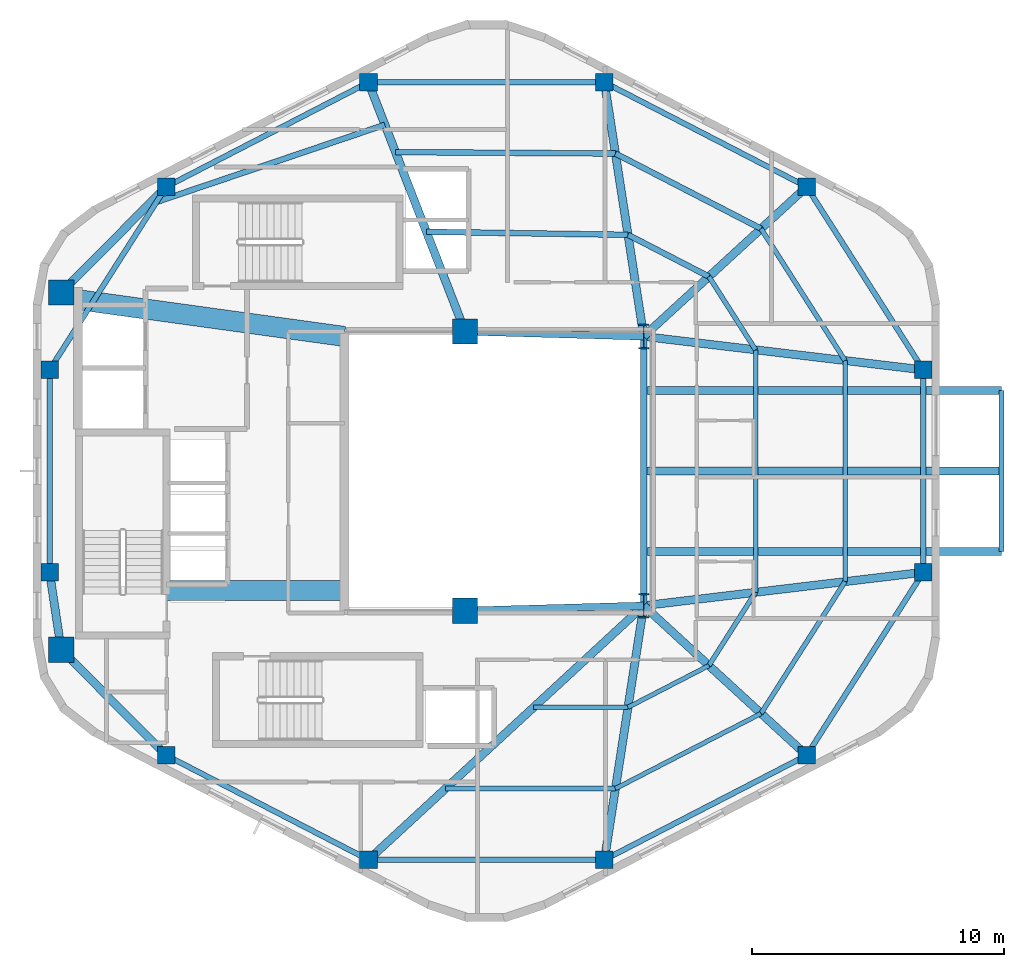
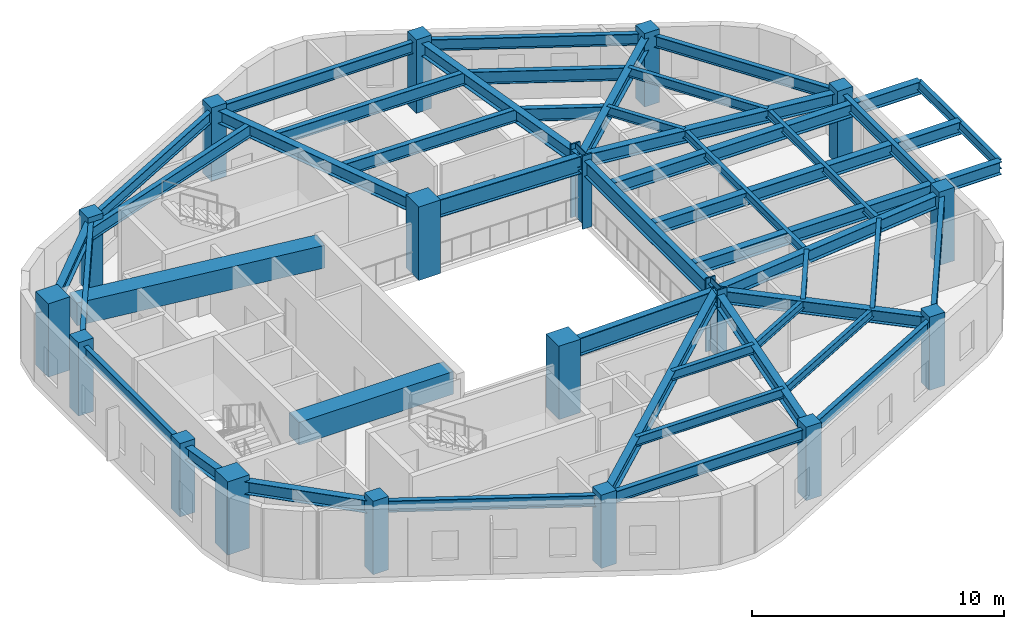
# One storey, part 1 of 6: 46 beams, 18 columns.
"""IFC4 building model written with IfcOpenShell, lengths in metres."""

from ifc_helpers import new_model, si_unit, direction, frame, origin, origin_2d, place, context, subcontext, project, spatial, rectangle, i_section, extrude, material, material_profile, profile_set, type_object, element, save


model = new_model("IFC4")

# Units and contexts
model_context = context("Model", 3, precision=1e-05, world=origin(), true_north=direction((0.0, 1.0)))
body_context = subcontext(model_context, "Body", "Model", "MODEL_VIEW")
ifc_project = project(units=[si_unit("LENGTHUNIT", "METRE"), si_unit("AREAUNIT", "SQUARE_METRE"), si_unit("VOLUMEUNIT", "CUBIC_METRE"), si_unit("PLANEANGLEUNIT", "RADIAN"), si_unit("MASSUNIT", "GRAM", prefix="KILO"), si_unit("THERMODYNAMICTEMPERATUREUNIT", "KELVIN"), si_unit("POWERUNIT", "WATT")], contexts=[model_context])

# Site, building, storey
site_placement = place(None, origin())
site = spatial("IfcSite", under=ifc_project, at=site_placement, CompositionType="ELEMENT")
building_placement = place(site_placement, origin())
building = spatial("IfcBuilding", under=site, at=building_placement, Name="Skarre Station Tower", CompositionType="ELEMENT")
storey_placement = place(building_placement, frame((0.0, 0.0, 252.550048828125)))
storey = spatial("IfcBuildingStorey", under=building, at=storey_placement, Name="L69", CompositionType="ELEMENT", Elevation=252.550048828125)

# Columns
ifc_material_1 = material(Name="Concrete C60/75", Category="concrete")
ifc_material_profile_1 = material_profile(ifc_material_1, rectangle(XDim=1.0, YDim=1.0, at=origin_2d()), Name="Concrete C60/75")
ifc_profile_set_1 = profile_set([ifc_material_profile_1], Name="Concrete C60/75")
column_type_1 = type_object("IfcColumnType", Name="RC Structural Column RC-COL-1000X1000", PredefinedType="COLUMN", material=ifc_profile_set_1)
for number, where, z_axis, x_axis, name in (
    (1, (16.300048828125, 16.89990234375, 0.0), (0.0, 0.0, 1.0), (1.0, 0.0, 0.0), "L69 Core Column CC-SW"),
    (2, (16.300048828125, 31.10009765625, 0.0), (0.0, 0.0, 1.0), (1.0, 0.0, 0.0), "L69 Core Column CC-NW"),
    (3, (32.35009765625, 18.449951171875, 0.0), (0.0, 0.0, 1.0), (1.0, 0.0, 0.0), "L69 Core Column CC-SE"),
    (4, (32.35009765625, 29.550048828125, 0.0), (0.0, 0.0, 1.0), (1.0, 0.0, 0.0), "L69 Core Column CC-NE"),
):
    element("IfcColumn", number, at=place(storey_placement, frame(where, z_axis=z_axis, x_axis=x_axis)), inside=storey, type_object=column_type_1, Name=name, PredefinedType="COLUMN", context=body_context, shape_type="SweptSolid", body=[
        extrude(rectangle(XDim=1.0, YDim=1.0, at=origin_2d()), origin(), (0.0, 0.0, 1.0), 3.550048828125),
    ])
ifc_material_2 = material(Name="Concrete C50/60", Category="concrete")
ifc_material_profile_2 = material_profile(ifc_material_2, rectangle(XDim=0.699951171875, YDim=0.699951171875, at=origin_2d()), Name="Concrete C50/60")
ifc_profile_set_2 = profile_set([ifc_material_profile_2], Name="Concrete C50/60")
column_type_2 = type_object("IfcColumnType", Name="RC Structural Column RC-COL-700X700", PredefinedType="COLUMN", material=ifc_profile_set_2)
for number, where, z_axis, x_axis, name in (
    (5, (45.927001953125, 35.298095703125, 0.0), (0.0, 0.0, 1.0), (1.0, 0.0, 0.0), "L69 Zone 4 Perimeter Column F0C1"),
    (6, (37.888916015625, 39.447021484375, 0.0), (0.0, 0.0, 1.0), (1.0, 0.0, 0.0), "L69 Zone 4 Perimeter Column F0C2"),
    (7, (28.510986328125, 39.447021484375, 0.0), (0.0, 0.0, 1.0), (1.0, 0.0, 0.0), "L69 Zone 4 Perimeter Column F1C1"),
    (8, (20.472900390625, 35.298095703125, 0.0), (0.0, 0.0, 1.0), (1.0, 0.0, 0.0), "L69 Zone 4 Perimeter Column F1C2"),
    (9, (15.8369140625, 28.02099609375, 0.0), (0.0, 0.0, 1.0), (1.0, 0.0, 0.0), "L69 Zone 4 Perimeter Column F2C1"),
    (10, (15.8369140625, 19.97900390625, 0.0), (0.0, 0.0, 1.0), (1.0, 0.0, 0.0), "L69 Zone 4 Perimeter Column F2C2"),
    (11, (20.472900390625, 12.701904296875, 0.0), (0.0, 0.0, 1.0), (1.0, 0.0, 0.0), "L69 Zone 4 Perimeter Column F3C1"),
    (12, (28.510986328125, 8.552978515625, 0.0), (0.0, 0.0, 1.0), (1.0, 0.0, 0.0), "L69 Zone 4 Perimeter Column F3C2"),
    (13, (37.888916015625, 8.552978515625, 0.0), (0.0, 0.0, 1.0), (1.0, 0.0, 0.0), "L69 Zone 4 Perimeter Column F4C1"),
    (14, (45.927001953125, 12.701904296875, 0.0), (0.0, 0.0, 1.0), (1.0, 0.0, 0.0), "L69 Zone 4 Perimeter Column F4C2"),
    (15, (50.56298828125, 19.97900390625, 0.0), (0.0, 0.0, 1.0), (1.0, 0.0, 0.0), "L69 Zone 4 Perimeter Column F5C1"),
    (16, (50.56298828125, 28.02099609375, 0.0), (0.0, 0.0, 1.0), (1.0, 0.0, 0.0), "L69 Zone 4 Perimeter Column F5C2"),
):
    element("IfcColumn", number, at=place(storey_placement, frame(where, z_axis=z_axis, x_axis=x_axis)), inside=storey, type_object=column_type_2, Name=name, PredefinedType="COLUMN", context=body_context, shape_type="SweptSolid", body=[
        extrude(rectangle(XDim=0.699951171875, YDim=0.699951171875, at=origin_2d()), origin(), (0.0, 0.0, 1.0), 3.550048828125),
    ])
ifc_material_3 = material(Name="Steel ASTM A913 Grade 65", Category="steel")
ifc_material_profile_3 = material_profile(ifc_material_3, i_section(OverallWidth=0.430908203125, OverallDepth=0.987060546875, WebThickness=0.033935546875, FlangeThickness=0.06201171875, at=origin_2d()), Name="Steel ASTM A913 Grade 65")
ifc_profile_set_3 = profile_set([ifc_material_profile_3], Name="Steel ASTM A913 Grade 65")
column_type_3 = type_object("IfcColumnType", Name="Steel Column W36X441", PredefinedType="COLUMN", material=ifc_profile_set_3)
for number, where, z_axis, x_axis, name in (
    (17, (39.449951171875, 18.64990234375, 0.0), (0.0, 0.0, 1.0), (1.0, 0.0, 0.0), "L69 Atrium Spine Column AC-SE"),
    (18, (39.449951171875, 29.35009765625, 0.0), (0.0, 0.0, 1.0), (1.0, 0.0, 0.0), "L69 Atrium Spine Column AC-NE"),
):
    element("IfcColumn", number, at=place(storey_placement, frame(where, z_axis=z_axis, x_axis=x_axis)), inside=storey, type_object=column_type_3, Name=name, PredefinedType="COLUMN", context=body_context, shape_type="SweptSolid", body=[
        extrude(i_section(OverallWidth=0.430908203125, OverallDepth=0.987060546875, WebThickness=0.033935546875, FlangeThickness=0.06201171875, at=origin_2d()), origin(), (0.0, 0.0, 1.0), 3.550048828125),
    ])

# Beams
ifc_material_4 = material(Name="Concrete C70/85", Category="concrete")
ifc_material_profile_4 = material_profile(ifc_material_4, rectangle(XDim=0.800048828125, YDim=1.10009765625, at=origin_2d()), Name="Concrete C70/85")
ifc_profile_set_4 = profile_set([ifc_material_profile_4], Name="Concrete C70/85")
beam_type_1 = type_object("IfcBeamType", Name="RC Core Coupling Lintel 800x1100", PredefinedType="LINTEL", material=ifc_profile_set_4)
beam_1_placement = place(storey_placement, frame((20.489990234375, 19.260009765625, 2.739990234375), z_axis=(1.0, 0.0, 0.0), x_axis=(0.0, 1.0, 0.0)))
element("IfcBeam", 19, at=beam_1_placement, inside=storey, type_object=beam_type_1, Name="L69 South Core Coupling Lintel", PredefinedType="LINTEL", context=body_context, shape_type="SweptSolid", body=[
    extrude(rectangle(XDim=0.800048828125, YDim=1.10009765625, at=origin_2d()), origin(), (0.0, 0.0, 1.0), 7.06005859375),
])
beam_2_placement = place(storey_placement, frame((17.050048828125, 30.800048828125, 2.739990234375), z_axis=(0.990599723633, -0.136792498109, 0.0), x_axis=(0.136792498109, 0.990599723633, 0.0)))
element("IfcBeam", 20, at=beam_2_placement, inside=storey, type_object=beam_type_1, Name="L69 North Core Coupling Lintel", PredefinedType="LINTEL", context=body_context, shape_type="SweptSolid", body=[
    extrude(rectangle(XDim=0.800048828125, YDim=1.10009765625, at=origin_2d()), origin(), (0.0, 0.0, 1.0), 10.599609375),
])
ifc_material_5 = material(Name="Steel ASTM A992 Grade 50", Category="steel")
ifc_material_profile_5 = material_profile(ifc_material_5, i_section(OverallWidth=0.323974609375, OverallDepth=0.611083984375, WebThickness=0.012939453125, FlangeThickness=0.01904296875, at=origin_2d()), Name="Steel ASTM A992 Grade 50")
ifc_profile_set_5 = profile_set([ifc_material_profile_5], Name="Steel ASTM A992 Grade 50")
beam_type_2 = type_object("IfcBeamType", Name="Steel Beam W24X104", PredefinedType="BEAM", material=ifc_profile_set_5)
beam_3_placement = place(storey_placement, frame((39.449951171875, 29.35009765625, 2.98486328125), z_axis=(0.736547671183, 0.676385635621, 0.0), x_axis=(-0.676385635621, 0.736547671183, 0.0)))
element("IfcBeam", 21, at=beam_3_placement, inside=storey, type_object=beam_type_2, Name="L69 Radial Floor Girder F0C1", PredefinedType="BEAM", context=body_context, shape_type="SweptSolid", body=[
    extrude(i_section(OverallWidth=0.323974609375, OverallDepth=0.611083984375, WebThickness=0.012939453125, FlangeThickness=0.01904296875, at=origin_2d()), origin(), (0.0, 0.0, 1.0), 8.793701171875),
])
beam_4_placement = place(storey_placement, frame((39.449951171875, 29.35009765625, 2.98486328125), z_axis=(-0.152789762931, 0.988258715288, 0.0), x_axis=(-0.988258715288, -0.152789762931, 0.0)))
element("IfcBeam", 22, at=beam_4_placement, inside=storey, type_object=beam_type_2, Name="L69 Radial Floor Girder F0C2", PredefinedType="BEAM", context=body_context, shape_type="SweptSolid", body=[
    extrude(i_section(OverallWidth=0.323974609375, OverallDepth=0.611083984375, WebThickness=0.012939453125, FlangeThickness=0.01904296875, at=origin_2d()), origin(), (0.0, 0.0, 1.0), 10.216796875),
])
beam_5_placement = place(storey_placement, frame((32.35009765625, 29.550048828125, 2.98486328125), z_axis=(-0.361651478681, 0.932313363611, 0.0), x_axis=(-0.932313363611, -0.361651478681, 0.0)))
element("IfcBeam", 23, at=beam_5_placement, inside=storey, type_object=beam_type_2, Name="L69 Radial Floor Girder F1C1", PredefinedType="BEAM", context=body_context, shape_type="SweptSolid", body=[
    extrude(i_section(OverallWidth=0.323974609375, OverallDepth=0.611083984375, WebThickness=0.012939453125, FlangeThickness=0.01904296875, at=origin_2d()), origin(), (0.0, 0.0, 1.0), 10.615478515625),
])
beam_6_placement = place(storey_placement, frame((16.300048828125, 31.10009765625, 2.98486328125), z_axis=(0.704979413242, 0.709227768002, 0.0), x_axis=(-0.709227768002, 0.704979413242, 0.0)))
element("IfcBeam", 24, at=beam_6_placement, inside=storey, type_object=beam_type_2, Name="L69 Radial Floor Girder F1C2", PredefinedType="BEAM", context=body_context, shape_type="SweptSolid", body=[
    extrude(i_section(OverallWidth=0.323974609375, OverallDepth=0.611083984375, WebThickness=0.012939453125, FlangeThickness=0.01904296875, at=origin_2d()), origin(), (0.0, 0.0, 1.0), 5.919189453125),
])
beam_7_placement = place(storey_placement, frame((16.300048828125, 16.89990234375, 2.98486328125), z_axis=(-0.148739188492, 0.988876460336, 0.0), x_axis=(-0.988876460336, -0.148739188492, 0.0)))
element("IfcBeam", 25, at=beam_7_placement, inside=storey, type_object=beam_type_2, Name="L69 Radial Floor Girder F2C2", PredefinedType="BEAM", context=body_context, shape_type="SweptSolid", body=[
    extrude(i_section(OverallWidth=0.323974609375, OverallDepth=0.611083984375, WebThickness=0.012939453125, FlangeThickness=0.01904296875, at=origin_2d()), origin(), (0.0, 0.0, 1.0), 3.11376953125),
])
beam_8_placement = place(storey_placement, frame((16.300048828125, 16.89990234375, 2.98486328125), z_axis=(0.704979413242, -0.709227768002, 0.0), x_axis=(0.709227768002, 0.704979413242, 0.0)))
element("IfcBeam", 26, at=beam_8_placement, inside=storey, type_object=beam_type_2, Name="L69 Radial Floor Girder F3C1", PredefinedType="BEAM", context=body_context, shape_type="SweptSolid", body=[
    extrude(i_section(OverallWidth=0.323974609375, OverallDepth=0.611083984375, WebThickness=0.012939453125, FlangeThickness=0.01904296875, at=origin_2d()), origin(), (0.0, 0.0, 1.0), 5.919189453125),
])
beam_9_placement = place(storey_placement, frame((39.449951171875, 18.64990234375, 2.98486328125), z_axis=(-0.734822935818, -0.678258986668, 0.0), x_axis=(0.678258986668, -0.734822935818, 0.0)))
element("IfcBeam", 27, at=beam_9_placement, inside=storey, type_object=beam_type_2, Name="L69 Radial Floor Girder F3C2", PredefinedType="BEAM", context=body_context, shape_type="SweptSolid", body=[
    extrude(i_section(OverallWidth=0.323974609375, OverallDepth=0.611083984375, WebThickness=0.012939453125, FlangeThickness=0.01904296875, at=origin_2d()), origin(), (0.0, 0.0, 1.0), 14.886474609375),
])
beam_10_placement = place(storey_placement, frame((39.449951171875, 18.64990234375, 2.98486328125), z_axis=(-0.152789762931, -0.988258715288, 0.0), x_axis=(0.988258715288, -0.152789762931, 0.0)))
element("IfcBeam", 28, at=beam_10_placement, inside=storey, type_object=beam_type_2, Name="L69 Radial Floor Girder F4C1", PredefinedType="BEAM", context=body_context, shape_type="SweptSolid", body=[
    extrude(i_section(OverallWidth=0.323974609375, OverallDepth=0.611083984375, WebThickness=0.012939453125, FlangeThickness=0.01904296875, at=origin_2d()), origin(), (0.0, 0.0, 1.0), 10.216796875),
])
beam_11_placement = place(storey_placement, frame((39.449951171875, 18.64990234375, 2.98486328125), z_axis=(0.736547671183, -0.676385635621, 0.0), x_axis=(0.676385635621, 0.736547671183, 0.0)))
element("IfcBeam", 29, at=beam_11_placement, inside=storey, type_object=beam_type_2, Name="L69 Radial Floor Girder F4C2", PredefinedType="BEAM", context=body_context, shape_type="SweptSolid", body=[
    extrude(i_section(OverallWidth=0.323974609375, OverallDepth=0.611083984375, WebThickness=0.012939453125, FlangeThickness=0.01904296875, at=origin_2d()), origin(), (0.0, 0.0, 1.0), 8.793701171875),
])
for number, where, z_axis, x_axis, name in (
    (30, (39.449951171875, 18.64990234375, 2.98486328125), (0.99292393128, 0.118752122891, 0.0), (-0.118752122891, 0.99292393128, 0.0), "L69 Radial Floor Girder F5C1"),
    (31, (39.449951171875, 29.35009765625, 2.98486328125), (0.99292393128, -0.118752122891, 0.0), (0.118752122891, 0.99292393128, 0.0), "L69 Radial Floor Girder F5C2"),
):
    element("IfcBeam", number, at=place(storey_placement, frame(where, z_axis=z_axis, x_axis=x_axis)), inside=storey, type_object=beam_type_2, Name=name, PredefinedType="BEAM", context=body_context, shape_type="SweptSolid", body=[
        extrude(i_section(OverallWidth=0.323974609375, OverallDepth=0.611083984375, WebThickness=0.012939453125, FlangeThickness=0.01904296875, at=origin_2d()), origin(), (0.0, 0.0, 1.0), 11.192138671875),
    ])
for number, where, z_axis, x_axis, name in (
    (32, (39.449951171875, 24.0, 2.89990234375), (1.0, 0.0, 0.0), (0.0, 1.0, 0.0), "L69 TB-L70-F5 Center Outrigger Beam"),
    (33, (39.449951171875, 20.800048828125, 2.89990234375), (1.0, 0.0, 0.0), (0.0, 1.0, 0.0), "L69 TB-L70-F5 Outrigger Beam 1"),
    (34, (39.449951171875, 27.199951171875, 2.89990234375), (1.0, 0.0, 0.0), (0.0, 1.0, 0.0), "L69 TB-L70-F5 Outrigger Beam 2"),
):
    element("IfcBeam", number, at=place(storey_placement, frame(where, z_axis=z_axis, x_axis=x_axis)), inside=storey, type_object=beam_type_2, Name=name, PredefinedType="BEAM", context=body_context, shape_type="SweptSolid", body=[
        extrude(i_section(OverallWidth=0.323974609375, OverallDepth=0.611083984375, WebThickness=0.012939453125, FlangeThickness=0.01904296875, at=origin_2d()), origin(), (0.0, 0.0, 1.0), 14.22314453125),
    ])
ifc_material_profile_6 = material_profile(ifc_material_5, i_section(OverallWidth=0.26806640625, OverallDepth=0.77001953125, WebThickness=0.01611328125, FlangeThickness=0.02490234375, at=origin_2d()), Name="Steel ASTM A992 Grade 50")
ifc_profile_set_6 = profile_set([ifc_material_profile_6], Name="Steel ASTM A992 Grade 50")
beam_type_3 = type_object("IfcBeamType", Name="Steel Beam W30X132", PredefinedType="BEAM", material=ifc_profile_set_6)
beam_12_placement = place(storey_placement, frame((39.449951171875, 18.64990234375, 2.905029296875), z_axis=(0.0, 1.0, 0.0), x_axis=(-1.0, 0.0, 0.0)))
element("IfcBeam", 35, at=beam_12_placement, inside=storey, type_object=beam_type_3, Name="L69 Atrium East Edge Girder", PredefinedType="BEAM", context=body_context, shape_type="SweptSolid", body=[
    extrude(i_section(OverallWidth=0.26806640625, OverallDepth=0.77001953125, WebThickness=0.01611328125, FlangeThickness=0.02490234375, at=origin_2d()), origin(), (0.0, 0.0, 1.0), 10.7001953125),
])
ifc_material_profile_7 = material_profile(ifc_material_5, i_section(OverallWidth=0.2919921875, OverallDepth=0.85888671875, WebThickness=0.01708984375, FlangeThickness=0.031005859375, at=origin_2d()), Name="Steel ASTM A992 Grade 50")
ifc_profile_set_7 = profile_set([ifc_material_profile_7], Name="Steel ASTM A992 Grade 50")
beam_type_4 = type_object("IfcBeamType", Name="Steel Beam W33X169", PredefinedType="BEAM", material=ifc_profile_set_7)
for number, where, z_axis, x_axis, name in (
    (36, (32.35009765625, 18.449951171875, 2.86083984375), (0.999603666405, 0.028151556095, 0.0), (-0.028151556095, 0.999603666405, 0.0), "L69 Atrium South Edge Girder"),
    (37, (32.35009765625, 29.550048828125, 2.86083984375), (0.999603666405, -0.028151556095, 0.0), (0.028151556095, 0.999603666405, 0.0), "L69 Atrium North Edge Girder"),
):
    element("IfcBeam", number, at=place(storey_placement, frame(where, z_axis=z_axis, x_axis=x_axis)), inside=storey, type_object=beam_type_4, Name=name, PredefinedType="BEAM", context=body_context, shape_type="SweptSolid", body=[
        extrude(i_section(OverallWidth=0.2919921875, OverallDepth=0.85888671875, WebThickness=0.01708984375, FlangeThickness=0.031005859375, at=origin_2d()), origin(), (0.0, 0.0, 1.0), 7.102783203125),
    ])
ifc_material_profile_8 = material_profile(ifc_material_5, i_section(OverallWidth=0.177978515625, OverallDepth=0.403076171875, WebThickness=0.008056640625, FlangeThickness=0.010986328125, at=origin_2d()), Name="Steel ASTM A992 Grade 50")
ifc_profile_set_8 = profile_set([ifc_material_profile_8], Name="Steel ASTM A992 Grade 50")
beam_type_5 = type_object("IfcBeamType", Name="Steel Joist W16X36", PredefinedType="JOIST", material=ifc_profile_set_8)
beam_13_placement = place(storey_placement, frame((38.825927734375, 14.611083984375, 3.087890625), z_axis=(0.888562989562, 0.458754633308, 0.0), x_axis=(-0.458754633308, 0.888562989562, 0.0)))
element("IfcBeam", 38, at=beam_13_placement, inside=storey, type_object=beam_type_5, Name="L69 Auxiliary Composite Joist 11", PredefinedType="JOIST", context=body_context, shape_type="SweptSolid", body=[
    extrude(i_section(OverallWidth=0.177978515625, OverallDepth=0.403076171875, WebThickness=0.008056640625, FlangeThickness=0.010986328125, at=origin_2d()), origin(), (0.0, 0.0, 1.0), 3.618408203125),
])
beam_14_placement = place(storey_placement, frame((38.325927734375, 11.3798828125, 3.087890625), z_axis=(0.888610306875, 0.458662972689, 0.0), x_axis=(-0.458662972689, 0.888610306875, 0.0)))
element("IfcBeam", 39, at=beam_14_placement, inside=storey, type_object=beam_type_5, Name="L69 Auxiliary Composite Joist 12", PredefinedType="JOIST", context=body_context, shape_type="SweptSolid", body=[
    extrude(i_section(OverallWidth=0.177978515625, OverallDepth=0.403076171875, WebThickness=0.008056640625, FlangeThickness=0.010986328125, at=origin_2d()), origin(), (0.0, 0.0, 1.0), 6.512451171875),
])
beam_15_placement = place(storey_placement, frame((43.89501953125, 19.181884765625, 3.087890625), z_axis=(0.0, 1.0, 0.0), x_axis=(-1.0, 0.0, 0.0)))
element("IfcBeam", 40, at=beam_15_placement, inside=storey, type_object=beam_type_5, Name="L69 Auxiliary Composite Joist 15", PredefinedType="JOIST", context=body_context, shape_type="SweptSolid", body=[
    extrude(i_section(OverallWidth=0.177978515625, OverallDepth=0.403076171875, WebThickness=0.008056640625, FlangeThickness=0.010986328125, at=origin_2d()), origin(), (0.0, 0.0, 1.0), 9.63623046875),
])
beam_16_placement = place(storey_placement, frame((47.450927734375, 19.60693359375, 3.087890625), z_axis=(0.0, 1.0, 0.0), x_axis=(-1.0, 0.0, 0.0)))
element("IfcBeam", 41, at=beam_16_placement, inside=storey, type_object=beam_type_5, Name="L69 Auxiliary Composite Joist 16", PredefinedType="JOIST", context=body_context, shape_type="SweptSolid", body=[
    extrude(i_section(OverallWidth=0.177978515625, OverallDepth=0.403076171875, WebThickness=0.008056640625, FlangeThickness=0.010986328125, at=origin_2d()), origin(), (0.0, 0.0, 1.0), 8.7861328125),
])
ifc_material_profile_9 = material_profile(ifc_material_5, i_section(OverallWidth=0.19091796875, OverallDepth=0.45703125, WebThickness=0.009033203125, FlangeThickness=0.013916015625, at=origin_2d()), Name="Steel ASTM A992 Grade 50")
ifc_profile_set_9 = profile_set([ifc_material_profile_9], Name="Steel ASTM A992 Grade 50")
beam_type_6 = type_object("IfcBeamType", Name="Steel Joist W18X50", PredefinedType="JOIST", material=ifc_profile_set_9)
beam_17_placement = place(storey_placement, frame((35.073974609375, 14.611083984375, 3.06201171875), z_axis=(1.0, 0.0, 0.0), x_axis=(0.0, 1.0, 0.0)))
element("IfcBeam", 42, at=beam_17_placement, inside=storey, type_object=beam_type_6, Name="L69 Auxiliary Composite Joist 9", PredefinedType="JOIST", context=body_context, shape_type="SweptSolid", body=[
    extrude(i_section(OverallWidth=0.19091796875, OverallDepth=0.45703125, WebThickness=0.009033203125, FlangeThickness=0.013916015625, at=origin_2d()), origin(), (0.0, 0.0, 1.0), 3.751953125),
])
beam_18_placement = place(storey_placement, frame((31.573974609375, 11.3798828125, 3.06201171875), z_axis=(1.0, 0.0, 0.0), x_axis=(0.0, 1.0, 0.0)))
element("IfcBeam", 43, at=beam_18_placement, inside=storey, type_object=beam_type_6, Name="L69 Auxiliary Composite Joist 10", PredefinedType="JOIST", context=body_context, shape_type="SweptSolid", body=[
    extrude(i_section(OverallWidth=0.19091796875, OverallDepth=0.45703125, WebThickness=0.009033203125, FlangeThickness=0.013916015625, at=origin_2d()), origin(), (0.0, 0.0, 1.0), 6.751953125),
])
beam_19_placement = place(storey_placement, frame((42.041015625, 16.27099609375, 3.06201171875), z_axis=(0.537209598798, 0.843448781468, 0.0), x_axis=(-0.843448781468, 0.537209598798, 0.0)))
element("IfcBeam", 44, at=beam_19_placement, inside=storey, type_object=beam_type_6, Name="L69 Auxiliary Composite Joist 13", PredefinedType="JOIST", context=body_context, shape_type="SweptSolid", body=[
    extrude(i_section(OverallWidth=0.19091796875, OverallDepth=0.45703125, WebThickness=0.009033203125, FlangeThickness=0.013916015625, at=origin_2d()), origin(), (0.0, 0.0, 1.0), 3.451171875),
])
beam_20_placement = place(storey_placement, frame((44.113037109375, 14.366943359375, 3.06201171875), z_axis=(0.537259384828, 0.843417069672, 0.0), x_axis=(-0.843417069672, 0.537259384828, 0.0)))
element("IfcBeam", 45, at=beam_20_placement, inside=storey, type_object=beam_type_6, Name="L69 Auxiliary Composite Joist 14", PredefinedType="JOIST", context=body_context, shape_type="SweptSolid", body=[
    extrude(i_section(OverallWidth=0.19091796875, OverallDepth=0.45703125, WebThickness=0.009033203125, FlangeThickness=0.013916015625, at=origin_2d()), origin(), (0.0, 0.0, 1.0), 6.212890625),
])
beam_21_placement = place(storey_placement, frame((43.89501953125, 28.818115234375, 3.06201171875), z_axis=(-0.537209598798, 0.843448781468, 0.0), x_axis=(-0.843448781468, -0.537209598798, 0.0)))
element("IfcBeam", 46, at=beam_21_placement, inside=storey, type_object=beam_type_6, Name="L69 Auxiliary Composite Joist 17", PredefinedType="JOIST", context=body_context, shape_type="SweptSolid", body=[
    extrude(i_section(OverallWidth=0.19091796875, OverallDepth=0.45703125, WebThickness=0.009033203125, FlangeThickness=0.013916015625, at=origin_2d()), origin(), (0.0, 0.0, 1.0), 3.451171875),
])
beam_22_placement = place(storey_placement, frame((47.450927734375, 28.39306640625, 3.06201171875), z_axis=(-0.537259384828, 0.843417069672, 0.0), x_axis=(-0.843417069672, -0.537259384828, 0.0)))
element("IfcBeam", 47, at=beam_22_placement, inside=storey, type_object=beam_type_6, Name="L69 Auxiliary Composite Joist 18", PredefinedType="JOIST", context=body_context, shape_type="SweptSolid", body=[
    extrude(i_section(OverallWidth=0.19091796875, OverallDepth=0.45703125, WebThickness=0.009033203125, FlangeThickness=0.013916015625, at=origin_2d()), origin(), (0.0, 0.0, 1.0), 6.212890625),
])
beam_23_placement = place(storey_placement, frame((53.673095703125, 20.800048828125, 2.975830078125), z_axis=(0.0, 1.0, 0.0), x_axis=(-1.0, 0.0, 0.0)))
element("IfcBeam", 48, at=beam_23_placement, inside=storey, type_object=beam_type_6, Name="L69 TB-L70-F5 Rim Beam", PredefinedType="JOIST", context=body_context, shape_type="SweptSolid", body=[
    extrude(i_section(OverallWidth=0.19091796875, OverallDepth=0.45703125, WebThickness=0.009033203125, FlangeThickness=0.013916015625, at=origin_2d()), origin(), (0.0, 0.0, 1.0), 6.39990234375),
])
ifc_material_profile_10 = material_profile(ifc_material_5, i_section(OverallWidth=0.22802734375, OverallDepth=0.60791015625, WebThickness=0.010986328125, FlangeThickness=0.01708984375, at=origin_2d()), Name="Steel ASTM A992 Grade 50")
ifc_profile_set_10 = profile_set([ifc_material_profile_10], Name="Steel ASTM A992 Grade 50")
beam_type_7 = type_object("IfcBeamType", Name="Steel Joist W24X76", PredefinedType="JOIST", material=ifc_profile_set_10)
beam_24_placement = place(storey_placement, frame((42.041015625, 31.72900390625, 2.98583984375), z_axis=(-0.888562989562, 0.458754633308, 0.0), x_axis=(-0.458754633308, -0.888562989562, 0.0)))
element("IfcBeam", 49, at=beam_24_placement, inside=storey, type_object=beam_type_7, Name="L69 Secondary Floor Joist 1", PredefinedType="JOIST", context=body_context, shape_type="SweptSolid", body=[
    extrude(i_section(OverallWidth=0.22802734375, OverallDepth=0.60791015625, WebThickness=0.010986328125, FlangeThickness=0.01708984375, at=origin_2d()), origin(), (0.0, 0.0, 1.0), 3.618408203125),
])
beam_25_placement = place(storey_placement, frame((44.113037109375, 33.633056640625, 2.98583984375), z_axis=(-0.888610306875, 0.458662972689, 0.0), x_axis=(-0.458662972689, -0.888610306875, 0.0)))
element("IfcBeam", 50, at=beam_25_placement, inside=storey, type_object=beam_type_7, Name="L69 Secondary Floor Joist 2", PredefinedType="JOIST", context=body_context, shape_type="SweptSolid", body=[
    extrude(i_section(OverallWidth=0.22802734375, OverallDepth=0.60791015625, WebThickness=0.010986328125, FlangeThickness=0.01708984375, at=origin_2d()), origin(), (0.0, 0.0, 1.0), 6.512451171875),
])
beam_26_placement = place(storey_placement, frame((38.825927734375, 33.388916015625, 2.98583984375), z_axis=(-0.999887635467, 0.014990545042, 0.0), x_axis=(-0.014990545042, -0.999887635467, 0.0)))
element("IfcBeam", 51, at=beam_26_placement, inside=storey, type_object=beam_type_7, Name="L69 Secondary Floor Joist 3", PredefinedType="JOIST", context=body_context, shape_type="SweptSolid", body=[
    extrude(i_section(OverallWidth=0.22802734375, OverallDepth=0.60791015625, WebThickness=0.010986328125, FlangeThickness=0.01708984375, at=origin_2d()), origin(), (0.0, 0.0, 1.0), 8.012939453125),
])
beam_27_placement = place(storey_placement, frame((38.325927734375, 36.6201171875, 2.98583984375), z_axis=(-0.999979540932, 0.006396695854, 0.0), x_axis=(-0.006396695854, -0.999979540932, 0.0)))
element("IfcBeam", 52, at=beam_27_placement, inside=storey, type_object=beam_type_7, Name="L69 Secondary Floor Joist 4", PredefinedType="JOIST", context=body_context, shape_type="SweptSolid", body=[
    extrude(i_section(OverallWidth=0.22802734375, OverallDepth=0.60791015625, WebThickness=0.010986328125, FlangeThickness=0.01708984375, at=origin_2d()), origin(), (0.0, 0.0, 1.0), 8.740234375),
])
beam_28_placement = place(storey_placement, frame((29.1640625, 37.764892578125, 2.98583984375), z_axis=(-0.947236771085, -0.320534708736, 0.0), x_axis=(0.320534708736, -0.947236771085, 0.0)))
element("IfcBeam", 53, at=beam_28_placement, inside=storey, type_object=beam_type_7, Name="L69 Secondary Floor Joist 6", PredefinedType="JOIST", context=body_context, shape_type="SweptSolid", body=[
    extrude(i_section(OverallWidth=0.22802734375, OverallDepth=0.60791015625, WebThickness=0.010986328125, FlangeThickness=0.01708984375, at=origin_2d()), origin(), (0.0, 0.0, 1.0), 9.923828125),
])
ifc_material_profile_11 = material_profile(ifc_material_5, i_section(OverallWidth=0.214111328125, OverallDepth=0.549072265625, WebThickness=0.014892578125, FlangeThickness=0.02392578125, at=origin_2d()), Name="Steel ASTM A992 Grade 50")
ifc_profile_set_11 = profile_set([ifc_material_profile_11], Name="Steel ASTM A992 Grade 50")
beam_type_8 = type_object("IfcBeamType", Name="Steel Spandrel W21X93", PredefinedType="SPANDREL", material=ifc_profile_set_11)
beam_29_placement = place(storey_placement, frame((45.927001953125, 35.298095703125, 3.015869140625), z_axis=(-0.888610011727, 0.458663544505, 0.0), x_axis=(-0.458663544505, -0.888610011727, 0.0)))
element("IfcBeam", 54, at=beam_29_placement, inside=storey, type_object=beam_type_8, Name="L69 Facet Spandrel Beam 1", PredefinedType="SPANDREL", context=body_context, shape_type="SweptSolid", body=[
    extrude(i_section(OverallWidth=0.214111328125, OverallDepth=0.549072265625, WebThickness=0.014892578125, FlangeThickness=0.02392578125, at=origin_2d()), origin(), (0.0, 0.0, 1.0), 9.045654296875),
])
beam_30_placement = place(storey_placement, frame((37.888916015625, 39.447021484375, 3.015869140625), z_axis=(-1.0, 0.0, 0.0), x_axis=(0.0, -1.0, 0.0)))
element("IfcBeam", 55, at=beam_30_placement, inside=storey, type_object=beam_type_8, Name="L69 Facet Spandrel Beam 2", PredefinedType="SPANDREL", context=body_context, shape_type="SweptSolid", body=[
    extrude(i_section(OverallWidth=0.214111328125, OverallDepth=0.549072265625, WebThickness=0.014892578125, FlangeThickness=0.02392578125, at=origin_2d()), origin(), (0.0, 0.0, 1.0), 9.3779296875),
])
beam_31_placement = place(storey_placement, frame((28.510986328125, 39.447021484375, 3.015869140625), z_axis=(-0.888610011727, -0.458663544505, 0.0), x_axis=(0.458663544505, -0.888610011727, 0.0)))
element("IfcBeam", 56, at=beam_31_placement, inside=storey, type_object=beam_type_8, Name="L69 Facet Spandrel Beam 3", PredefinedType="SPANDREL", context=body_context, shape_type="SweptSolid", body=[
    extrude(i_section(OverallWidth=0.214111328125, OverallDepth=0.549072265625, WebThickness=0.014892578125, FlangeThickness=0.02392578125, at=origin_2d()), origin(), (0.0, 0.0, 1.0), 9.045654296875),
])
beam_32_placement = place(storey_placement, frame((20.472900390625, 35.298095703125, 3.015869140625), z_axis=(-0.537296523663, -0.843393410965, 0.0), x_axis=(0.843393410965, -0.537296523663, 0.0)))
element("IfcBeam", 57, at=beam_32_placement, inside=storey, type_object=beam_type_8, Name="L69 Facet Spandrel Beam 4", PredefinedType="SPANDREL", context=body_context, shape_type="SweptSolid", body=[
    extrude(i_section(OverallWidth=0.214111328125, OverallDepth=0.549072265625, WebThickness=0.014892578125, FlangeThickness=0.02392578125, at=origin_2d()), origin(), (0.0, 0.0, 1.0), 8.62841796875),
])
beam_33_placement = place(storey_placement, frame((15.8369140625, 28.02099609375, 3.015869140625), z_axis=(0.0, -1.0, 0.0), x_axis=(1.0, 0.0, 0.0)))
element("IfcBeam", 58, at=beam_33_placement, inside=storey, type_object=beam_type_8, Name="L69 Facet Spandrel Beam 5", PredefinedType="SPANDREL", context=body_context, shape_type="SweptSolid", body=[
    extrude(i_section(OverallWidth=0.214111328125, OverallDepth=0.549072265625, WebThickness=0.014892578125, FlangeThickness=0.02392578125, at=origin_2d()), origin(), (0.0, 0.0, 1.0), 8.0419921875),
])
beam_34_placement = place(storey_placement, frame((20.472900390625, 12.701904296875, 3.015869140625), z_axis=(0.888610011727, -0.458663544505, 0.0), x_axis=(0.458663544505, 0.888610011727, 0.0)))
element("IfcBeam", 59, at=beam_34_placement, inside=storey, type_object=beam_type_8, Name="L69 Facet Spandrel Beam 7", PredefinedType="SPANDREL", context=body_context, shape_type="SweptSolid", body=[
    extrude(i_section(OverallWidth=0.214111328125, OverallDepth=0.549072265625, WebThickness=0.014892578125, FlangeThickness=0.02392578125, at=origin_2d()), origin(), (0.0, 0.0, 1.0), 9.045654296875),
])
beam_35_placement = place(storey_placement, frame((28.510986328125, 8.552978515625, 3.015869140625), z_axis=(1.0, 0.0, 0.0), x_axis=(0.0, 1.0, 0.0)))
element("IfcBeam", 60, at=beam_35_placement, inside=storey, type_object=beam_type_8, Name="L69 Facet Spandrel Beam 8", PredefinedType="SPANDREL", context=body_context, shape_type="SweptSolid", body=[
    extrude(i_section(OverallWidth=0.214111328125, OverallDepth=0.549072265625, WebThickness=0.014892578125, FlangeThickness=0.02392578125, at=origin_2d()), origin(), (0.0, 0.0, 1.0), 9.3779296875),
])
beam_36_placement = place(storey_placement, frame((37.888916015625, 8.552978515625, 3.015869140625), z_axis=(0.888610011727, 0.458663544505, 0.0), x_axis=(-0.458663544505, 0.888610011727, 0.0)))
element("IfcBeam", 61, at=beam_36_placement, inside=storey, type_object=beam_type_8, Name="L69 Facet Spandrel Beam 9", PredefinedType="SPANDREL", context=body_context, shape_type="SweptSolid", body=[
    extrude(i_section(OverallWidth=0.214111328125, OverallDepth=0.549072265625, WebThickness=0.014892578125, FlangeThickness=0.02392578125, at=origin_2d()), origin(), (0.0, 0.0, 1.0), 9.045654296875),
])
beam_37_placement = place(storey_placement, frame((45.927001953125, 12.701904296875, 3.015869140625), z_axis=(0.537296523663, 0.843393410965, 0.0), x_axis=(-0.843393410965, 0.537296523663, 0.0)))
element("IfcBeam", 62, at=beam_37_placement, inside=storey, type_object=beam_type_8, Name="L69 Facet Spandrel Beam 10", PredefinedType="SPANDREL", context=body_context, shape_type="SweptSolid", body=[
    extrude(i_section(OverallWidth=0.214111328125, OverallDepth=0.549072265625, WebThickness=0.014892578125, FlangeThickness=0.02392578125, at=origin_2d()), origin(), (0.0, 0.0, 1.0), 8.62841796875),
])
beam_38_placement = place(storey_placement, frame((50.56298828125, 19.97900390625, 3.015869140625), z_axis=(0.0, 1.0, 0.0), x_axis=(-1.0, 0.0, 0.0)))
element("IfcBeam", 63, at=beam_38_placement, inside=storey, type_object=beam_type_8, Name="L69 Facet Spandrel Beam 11", PredefinedType="SPANDREL", context=body_context, shape_type="SweptSolid", body=[
    extrude(i_section(OverallWidth=0.214111328125, OverallDepth=0.549072265625, WebThickness=0.014892578125, FlangeThickness=0.02392578125, at=origin_2d()), origin(), (0.0, 0.0, 1.0), 8.0419921875),
])
beam_39_placement = place(storey_placement, frame((50.56298828125, 28.02099609375, 3.015869140625), z_axis=(-0.537296523663, 0.843393410965, 0.0), x_axis=(-0.843393410965, -0.537296523663, 0.0)))
element("IfcBeam", 64, at=beam_39_placement, inside=storey, type_object=beam_type_8, Name="L69 Facet Spandrel Beam 12", PredefinedType="SPANDREL", context=body_context, shape_type="SweptSolid", body=[
    extrude(i_section(OverallWidth=0.214111328125, OverallDepth=0.549072265625, WebThickness=0.014892578125, FlangeThickness=0.02392578125, at=origin_2d()), origin(), (0.0, 0.0, 1.0), 8.62841796875),
])

save(model, "model.ifc")
